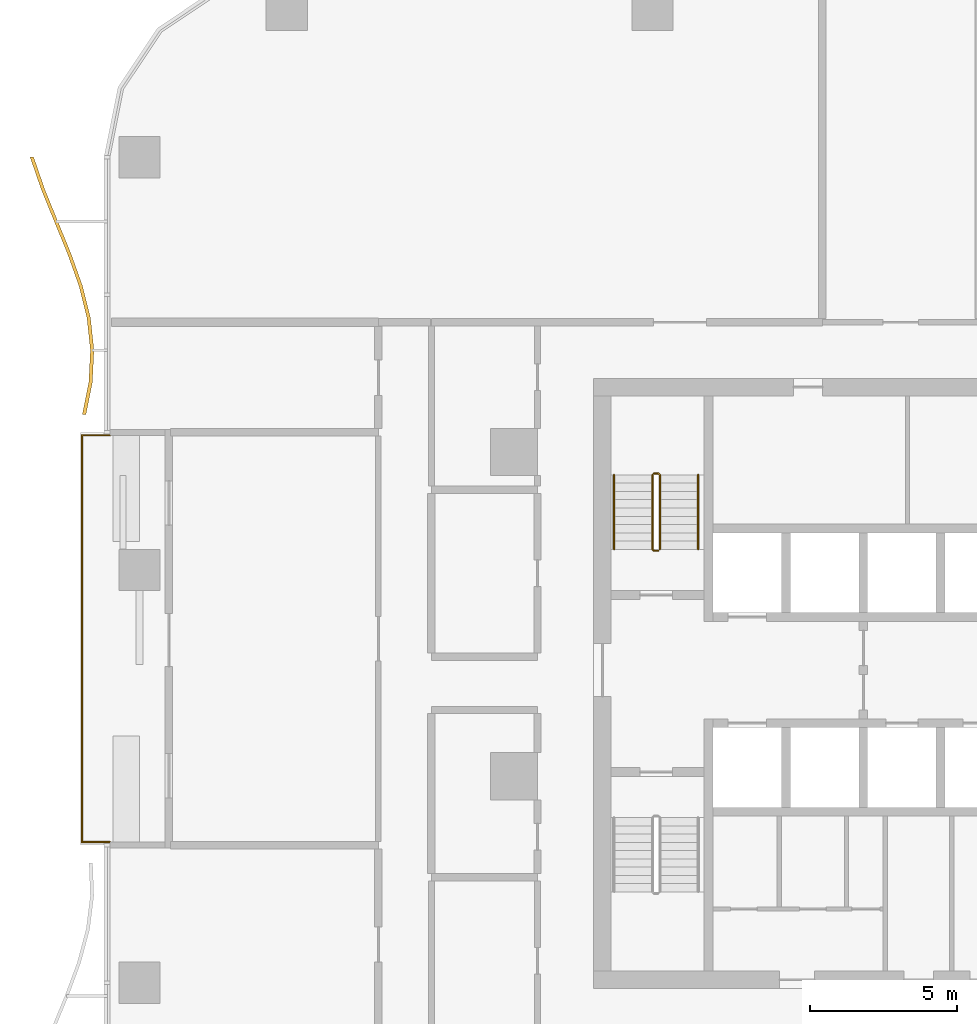
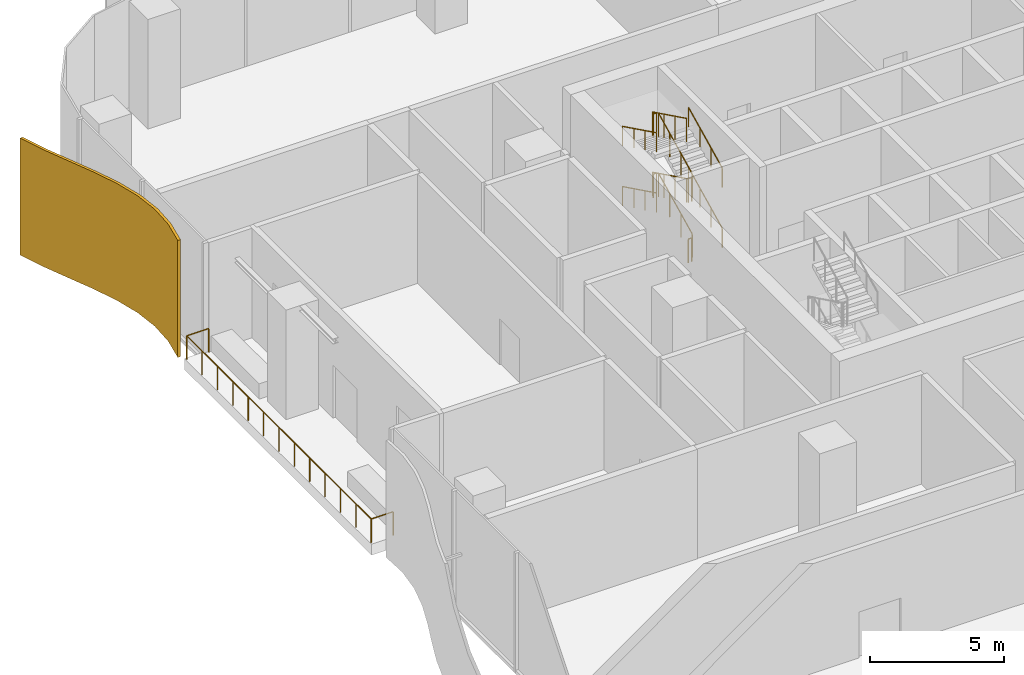
# One storey, part 18 of 21: 10 railings, 1 shading device.
"""IFC4 building model written with IfcOpenShell, lengths in metres."""

import ifcopenshell
import ifcopenshell.guid

model = None  # the IFC model being written
_history = None  # IfcOwnerHistory: only IFC2X3 demands one
_inside = {}  # id of a spatial element -> (the spatial element, [elements in it])
_under = {}  # id of a project, library or spatial element -> (it, [spatial elements below it])
_declared = {}  # id of a project -> (the project, [libraries it declares])
_typed = {}  # id of a type object -> (the type object, [elements of that type])
_made_of = {}  # id of a material, layer set ... -> (it, [elements and type objects made of it])


def new_model(schema):
    """Start an empty IFC model of exactly this schema.

    Asked for "IFC4X3", IfcOpenShell would pick the latest addendum, in which some entities
    have other attributes; the version numbers below select the first issue.
    IFC2X3 requires an IfcOwnerHistory on every rooted entity: one is made here for all.
    """
    global model, _history
    if schema == "IFC4X3":
        model = ifcopenshell.file(schema_version=(4, 3, 0, 0))
    else:
        model = ifcopenshell.file(schema=schema)
    _inside.clear()
    _under.clear()
    _declared.clear()
    _typed.clear()
    _made_of.clear()
    _history = None
    if model.schema == "IFC2X3":
        org = make("IfcOrganization", Name="unknown")
        user = make(
            "IfcPersonAndOrganization",
            ThePerson=make("IfcPerson", FamilyName="unknown"),
            TheOrganization=org,
        )
        app = make(
            "IfcApplication",
            ApplicationDeveloper=org,
            Version="unknown",
            ApplicationFullName="unknown",
            ApplicationIdentifier="unknown",
        )
        _history = make(
            "IfcOwnerHistory",
            OwningUser=user,
            OwningApplication=app,
            ChangeAction="ADDED",
            CreationDate=0,
        )
    return model


def make(cls, **values):
    """One entity of the class cls with the attributes given. An attribute that is None is left unset."""
    return model.create_entity(
        cls, **{name: value for name, value in values.items() if value is not None}
    )


def rooted(cls, **values):
    """An entity with a GlobalId (a new one), such as an element, a storey or a relation."""
    return make(cls, GlobalId=ifcopenshell.guid.new(), OwnerHistory=_history, **values)


def si_unit(unit_type, name, prefix=None):
    """IfcSIUnit, for example si_unit("LENGTHUNIT", "METRE", prefix="MILLI")."""
    return make("IfcSIUnit", UnitType=unit_type, Prefix=prefix, Name=name)


def assignment(units):
    """IfcUnitAssignment: the units of a project."""
    return None if units is None else make("IfcUnitAssignment", Units=units)


def point(xyz):
    """IfcCartesianPoint."""
    return None if xyz is None else make("IfcCartesianPoint", Coordinates=xyz)


def direction(xyz):
    """IfcDirection."""
    return None if xyz is None else make("IfcDirection", DirectionRatios=xyz)


def frame(location, z_axis=None, x_axis=None):
    """IfcAxis2Placement3D, a coordinate frame: its origin and axes. An axis left out is left unset."""
    return make(
        "IfcAxis2Placement3D",
        Location=point(location),
        Axis=direction(z_axis),
        RefDirection=direction(x_axis),
    )


def frame_2d(location, x_axis=None):
    """IfcAxis2Placement2D, a coordinate frame in the plane: its origin and x axis."""
    return make(
        "IfcAxis2Placement2D", Location=point(location), RefDirection=direction(x_axis)
    )


def origin():
    """The frame at (0, 0, 0) with its axes left unset."""
    return frame((0.0, 0.0, 0.0))


def origin_2d():
    """The frame at (0, 0) in the plane with its x axis left unset."""
    return frame_2d((0.0, 0.0))


def place(relative_to, where):
    """IfcLocalPlacement: puts the frame where relative to a parent placement (None: the world)."""
    return make(
        "IfcLocalPlacement", PlacementRelTo=relative_to, RelativePlacement=where
    )


def context(
    kind, dimensions, precision=None, world=None, true_north=None, identifier=None
):
    """IfcGeometricRepresentationContext, for example the 3D "Model" context."""
    return make(
        "IfcGeometricRepresentationContext",
        ContextIdentifier=identifier,
        ContextType=kind,
        CoordinateSpaceDimension=dimensions,
        Precision=precision,
        WorldCoordinateSystem=world,
        TrueNorth=true_north,
    )


def subcontext(parent, identifier, kind, view, scale=None):
    """IfcGeometricRepresentationSubContext, for example "Body" below "Model"."""
    return make(
        "IfcGeometricRepresentationSubContext",
        ContextIdentifier=identifier,
        ContextType=kind,
        ParentContext=parent,
        TargetScale=scale,
        TargetView=view,
    )


def project(units=None, contexts=None):
    """IfcProject with its units and contexts."""
    return rooted(
        "IfcProject",
        Name="project",
        RepresentationContexts=contexts,
        UnitsInContext=assignment(units),
    )


def spatial(cls, under=None, at=None, **own):
    """A site, building, storey or space (cls), placed at a placement, below another one or the project."""
    s = rooted(cls, ObjectPlacement=at, **own)
    if under is not None:
        _under.setdefault(under.id(), (under, []))[1].append(s)
    return s


def polyline(points):
    """IfcPolyline through the points."""
    return make("IfcPolyline", Points=[point(p) for p in points])


def profile(cls, at=None, kind="AREA", **sizes):
    """A parametric profile (cls). Its sizes go by their IFC names, for example OverallWidth=200.0."""
    return make(cls, ProfileType=kind, Position=at, **sizes)


def circle(**sizes):
    """IfcCircleProfileDef."""
    return profile("IfcCircleProfileDef", **sizes)


def outline(outer, holes=None, kind="AREA"):
    """IfcArbitraryClosedProfileDef: a profile drawn as a closed curve; with holes, ...WithVoids."""
    if holes is None:
        return make("IfcArbitraryClosedProfileDef", ProfileType=kind, OuterCurve=outer)
    return make(
        "IfcArbitraryProfileDefWithVoids",
        ProfileType=kind,
        OuterCurve=outer,
        InnerCurves=holes,
    )


def extrude(swept, where, along, depth):
    """IfcExtrudedAreaSolid: the profile swept, set in the frame where, extruded along a direction by depth."""
    return make(
        "IfcExtrudedAreaSolid",
        SweptArea=swept,
        Position=where,
        ExtrudedDirection=direction(along),
        Depth=depth,
    )


def shape(context_of_items, identifier, shape_type, items):
    """IfcShapeRepresentation: the items that make up one representation, for example the "Body"."""
    return make(
        "IfcShapeRepresentation",
        ContextOfItems=context_of_items,
        RepresentationIdentifier=identifier,
        RepresentationType=shape_type,
        Items=items,
    )


def material(Name=None, Category=None):
    """IfcMaterial."""
    return make("IfcMaterial", Name=Name, Category=Category)


def layer(
    of_material, thickness, ventilated=None, Name=None, Category=None, Priority=None
):
    """IfcMaterialLayer: one layer of a wall or slab, of a material (None: an air gap)."""
    return make(
        "IfcMaterialLayer",
        Material=of_material,
        LayerThickness=thickness,
        IsVentilated=ventilated,
        Name=Name,
        Category=Category,
        Priority=Priority,
    )


def layer_set(layers, Name=None):
    """IfcMaterialLayerSet."""
    return make("IfcMaterialLayerSet", MaterialLayers=layers, LayerSetName=Name)


def made_of(thing, what):
    """Note that an element or type object is made of a material, layer set ...; save() writes the relation."""
    if what is not None:
        _made_of.setdefault(what.id(), (what, []))[1].append(thing)
    return thing


def type_object(cls, material=None, **own):
    """A type object (cls), such as IfcWallType, which elements share."""
    return made_of(rooted(cls, **own), material)


def element(
    cls,
    number,
    at=None,
    inside=None,
    cuts=None,
    type_object=None,
    material=None,
    context=None,
    identifier="Body",
    shape_type=None,
    held_by="IfcProductDefinitionShape",
    body=None,
    shapes=None,
    **own,
):
    """One element of the class cls, such as IfcWall. Its Tag is "e" and its number.

    at: its placement. inside: the storey or other place that contains it. cuts: it is an
    opening in that element (IfcRelVoidsElement). A single representation is given by context,
    identifier, shape_type and body (its items); several are given by shapes. held_by: the class
    of the entity that holds the representations. save() writes the other relations.
    """
    e = rooted(cls, Tag="e%d" % number, ObjectPlacement=at, **own)
    if body is not None:
        shapes = [shape(context, identifier, shape_type, body)]
    if shapes is not None:
        e.Representation = make(held_by, Representations=shapes)
    if inside is not None:
        _inside.setdefault(inside.id(), (inside, []))[1].append(e)
    if cuts is not None:
        rooted(
            "IfcRelVoidsElement", RelatingBuildingElement=cuts, RelatedOpeningElement=e
        )
    if type_object is not None:
        _typed.setdefault(type_object.id(), (type_object, []))[1].append(e)
    return made_of(e, material)


def aggregate(whole, parts):
    """IfcRelAggregates: a whole, such as a stair, and the parts it consists of."""
    return rooted("IfcRelAggregates", RelatingObject=whole, RelatedObjects=parts)


def save(model, path):
    """Write the relations noted so far, then the file.

    IfcRelAggregates (storeys below a building ...), IfcRelContainedInSpatialStructure (elements
    in a storey), IfcRelDefinesByType, IfcRelAssociatesMaterial and IfcRelDeclares: one each for
    every whole, place, type object, material and project.
    """
    for whole, parts in _under.values():
        aggregate(whole, parts)
    for where, things in _inside.values():
        rooted(
            "IfcRelContainedInSpatialStructure",
            RelatedElements=things,
            RelatingStructure=where,
        )
    for kind, things in _typed.values():
        rooted("IfcRelDefinesByType", RelatedObjects=things, RelatingType=kind)
    for what, things in _made_of.values():
        rooted("IfcRelAssociatesMaterial", RelatedObjects=things, RelatingMaterial=what)
    for by, libraries in _declared.values():
        rooted("IfcRelDeclares", RelatingContext=by, RelatedDefinitions=libraries)
    model.write(path)


model = new_model("IFC4")

# Units and contexts
model_context = context("Model", 3, precision=1e-05, world=origin(), true_north=direction((0.0, 1.0)))
body_context = subcontext(model_context, "Body", "Model", "MODEL_VIEW")
ifc_project = project(units=[si_unit("LENGTHUNIT", "METRE"), si_unit("AREAUNIT", "SQUARE_METRE"), si_unit("VOLUMEUNIT", "CUBIC_METRE"), si_unit("PLANEANGLEUNIT", "RADIAN"), si_unit("MASSUNIT", "GRAM", prefix="KILO")], contexts=[model_context])

# Site, building, storey
site_placement = place(None, origin())
site = spatial("IfcSite", under=ifc_project, at=site_placement, CompositionType="ELEMENT")
building_placement = place(site_placement, origin())
building = spatial("IfcBuilding", under=site, at=building_placement, Name="Mopane Tessera Tower", CompositionType="ELEMENT")
storey_placement = place(building_placement, frame((0.0, 0.0, 20.0)))
storey = spatial("IfcBuildingStorey", under=building, at=storey_placement, Name="L03", CompositionType="ELEMENT", Elevation=20.0)

# Railings
ifc_material_1 = material(Name="Powder-coated steel balustrade", Category="steel")
railing_type_1 = type_object("IfcRailingType", Name="Escape stair guard 1100 mm", PredefinedType="GUARDRAIL", material=ifc_material_1)
railing_1_placement = place(storey_placement, frame((-12.14990234375, 7.699951171875, 0.137451171875)))
element("IfcRailing", 1, at=railing_1_placement, inside=storey, type_object=railing_type_1, Name="L03 ST2 stair guard 1", PredefinedType="GUARDRAIL", context=body_context, shape_type="SweptSolid", body=[
    extrude(circle(Radius=0.02392578125, at=origin_2d()), frame((0.0, 0.0, 1.076171875), z_axis=(0.0, 0.897604431175, 0.440801866075), x_axis=(-1.0, 0.0, 0.0)), (0.0, 0.0, 1.0), 2.807373046875),
    extrude(circle(Radius=0.02392578125, at=origin_2d()), frame((0.0, 2.52001953125, 2.3134765625), z_axis=(-0.707106781187, 0.707106781187, 0.0), x_axis=(-0.707106781187, -0.707106781187, 0.0)), (0.0, 0.0, 1.0), 0.07080078125),
    extrude(circle(Radius=0.02392578125, at=origin_2d()), frame((-0.050048828125, 2.570068359375, 2.3134765625), z_axis=(-1.0, 0.0, 0.0), x_axis=(0.0, -1.0, 0.0)), (0.0, 0.0, 1.0), 0.150146484375),
    extrude(circle(Radius=0.02099609375, at=origin_2d()), origin(), (0.0, 0.0, 1.0), 1.052001953125),
    extrude(circle(Radius=0.02099609375, at=origin_2d()), frame((0.0, 0.840087890625, 0.41259765625)), (0.0, 0.0, 1.0), 1.052001953125),
    extrude(circle(Radius=0.02099609375, at=origin_2d()), frame((0.0, 1.679931640625, 0.824951171875)), (0.0, 0.0, 1.0), 1.052001953125),
    extrude(circle(Radius=0.02099609375, at=origin_2d()), frame((0.0, 2.52001953125, 1.237548828125)), (0.0, 0.0, 1.0), 1.052001953125),
    extrude(circle(Radius=0.02099609375, at=origin_2d()), frame((-0.050048828125, 2.570068359375, 1.237548828125)), (0.0, 0.0, 1.0), 1.052001953125),
    extrude(circle(Radius=0.02099609375, at=origin_2d()), frame((-0.2001953125, 2.570068359375, 1.237548828125)), (0.0, 0.0, 1.0), 1.052001953125),
])
railing_2_placement = place(storey_placement, frame((-12.39990234375, 10.219970703125, 1.512451171875)))
element("IfcRailing", 2, at=railing_2_placement, inside=storey, type_object=railing_type_1, Name="L03 ST2 stair guard 2", PredefinedType="GUARDRAIL", context=body_context, shape_type="SweptSolid", body=[
    extrude(circle(Radius=0.02392578125, at=origin_2d()), frame((0.0, 0.0, 1.076171875), z_axis=(0.0, -0.897604431175, 0.440801866075), x_axis=(1.0, 0.0, 0.0)), (0.0, 0.0, 1.0), 2.807373046875),
    extrude(circle(Radius=0.02392578125, at=origin_2d()), frame((0.0, -2.52001953125, 2.3134765625), z_axis=(0.705375805398, -0.708833529934, 0.0), x_axis=(0.708833529934, 0.705375805398, 0.0)), (0.0, 0.0, 1.0), 0.070556640625),
    extrude(circle(Radius=0.02392578125, at=origin_2d()), frame((0.0498046875, -2.570068359375, 2.3134765625), z_axis=(1.0, 0.0, 0.0), x_axis=(0.0, 1.0, 0.0)), (0.0, 0.0, 1.0), 0.150146484375),
    extrude(circle(Radius=0.02099609375, at=origin_2d()), origin(), (0.0, 0.0, 1.0), 1.052001953125),
    extrude(circle(Radius=0.02099609375, at=origin_2d()), frame((0.0, -0.840087890625, 0.41259765625)), (0.0, 0.0, 1.0), 1.052001953125),
    extrude(circle(Radius=0.02099609375, at=origin_2d()), frame((0.0, -1.679931640625, 0.824951171875)), (0.0, 0.0, 1.0), 1.052001953125),
    extrude(circle(Radius=0.02099609375, at=origin_2d()), frame((0.0, -2.52001953125, 1.237548828125)), (0.0, 0.0, 1.0), 1.052001953125),
    extrude(circle(Radius=0.02099609375, at=origin_2d()), frame((0.0498046875, -2.570068359375, 1.237548828125)), (0.0, 0.0, 1.0), 1.052001953125),
    extrude(circle(Radius=0.02099609375, at=origin_2d()), frame((0.199951171875, -2.570068359375, 1.237548828125)), (0.0, 0.0, 1.0), 1.052001953125),
])
railing_3_placement = place(storey_placement, frame((-12.14990234375, 7.699951171875, 2.887451171875)))
element("IfcRailing", 3, at=railing_3_placement, inside=storey, type_object=railing_type_1, Name="L03 ST2 stair guard 3", PredefinedType="GUARDRAIL", context=body_context, shape_type="SweptSolid", body=[
    extrude(circle(Radius=0.02392578125, at=origin_2d()), frame((0.0, 0.0, 1.076171875), z_axis=(0.0, 0.897604431175, 0.440801866075), x_axis=(-1.0, 0.0, 0.0)), (0.0, 0.0, 1.0), 2.807373046875),
    extrude(circle(Radius=0.02392578125, at=origin_2d()), frame((0.0, 2.52001953125, 2.3134765625), z_axis=(-0.707106781187, 0.707106781187, 0.0), x_axis=(-0.707106781187, -0.707106781187, 0.0)), (0.0, 0.0, 1.0), 0.07080078125),
    extrude(circle(Radius=0.02392578125, at=origin_2d()), frame((-0.050048828125, 2.570068359375, 2.3134765625), z_axis=(-1.0, 0.0, 0.0), x_axis=(0.0, -1.0, 0.0)), (0.0, 0.0, 1.0), 0.150146484375),
    extrude(circle(Radius=0.02099609375, at=origin_2d()), origin(), (0.0, 0.0, 1.0), 1.052001953125),
    extrude(circle(Radius=0.02099609375, at=origin_2d()), frame((0.0, 0.840087890625, 0.41259765625)), (0.0, 0.0, 1.0), 1.052001953125),
    extrude(circle(Radius=0.02099609375, at=origin_2d()), frame((0.0, 1.679931640625, 0.824951171875)), (0.0, 0.0, 1.0), 1.052001953125),
    extrude(circle(Radius=0.02099609375, at=origin_2d()), frame((0.0, 2.52001953125, 1.237548828125)), (0.0, 0.0, 1.0), 1.052001953125),
    extrude(circle(Radius=0.02099609375, at=origin_2d()), frame((-0.050048828125, 2.570068359375, 1.237548828125)), (0.0, 0.0, 1.0), 1.052001953125),
    extrude(circle(Radius=0.02099609375, at=origin_2d()), frame((-0.2001953125, 2.570068359375, 1.237548828125)), (0.0, 0.0, 1.0), 1.052001953125),
])
railing_4_placement = place(storey_placement, frame((-12.39990234375, 10.219970703125, 4.262451171875)))
element("IfcRailing", 4, at=railing_4_placement, inside=storey, type_object=railing_type_1, Name="L03 ST2 stair guard 4", PredefinedType="GUARDRAIL", context=body_context, shape_type="SweptSolid", body=[
    extrude(circle(Radius=0.02392578125, at=origin_2d()), frame((0.0, 0.0, 1.076171875), z_axis=(0.0, -0.897604431175, 0.440801866075), x_axis=(1.0, 0.0, 0.0)), (0.0, 0.0, 1.0), 2.807373046875),
    extrude(circle(Radius=0.02099609375, at=origin_2d()), origin(), (0.0, 0.0, 1.0), 1.052001953125),
    extrude(circle(Radius=0.02099609375, at=origin_2d()), frame((0.0, -0.840087890625, 0.41259765625)), (0.0, 0.0, 1.0), 1.052001953125),
    extrude(circle(Radius=0.02099609375, at=origin_2d()), frame((0.0, -1.679931640625, 0.824951171875)), (0.0, 0.0, 1.0), 1.052001953125),
    extrude(circle(Radius=0.02099609375, at=origin_2d()), frame((0.0, -2.52001953125, 1.237548828125)), (0.0, 0.0, 1.0), 1.052001953125),
])
railing_5_placement = place(storey_placement, frame((-12.199951171875, 7.64990234375, 0.0)))
element("IfcRailing", 5, at=railing_5_placement, inside=storey, type_object=railing_type_1, Name="L03 ST2 stair guard 5", PredefinedType="GUARDRAIL", context=body_context, shape_type="SweptSolid", body=[
    extrude(circle(Radius=0.02392578125, at=origin_2d()), frame((0.0, 0.0, 1.076171875), z_axis=(-1.0, 0.0, 0.0), x_axis=(0.0, -1.0, 0.0)), (0.0, 0.0, 1.0), 0.150146484375),
    extrude(circle(Radius=0.02099609375, at=origin_2d()), origin(), (0.0, 0.0, 1.0), 1.052001953125),
    extrude(circle(Radius=0.02099609375, at=origin_2d()), frame((-0.150146484375, 0.0, 0.0)), (0.0, 0.0, 1.0), 1.052001953125),
])
ifc_material_2 = material(Name="Powder-coated steel balustrade", Category="steel")
railing_type_2 = type_object("IfcRailingType", Name="Escape stair handrail 900 mm", PredefinedType="HANDRAIL", material=ifc_material_2)
railing_6_placement = place(storey_placement, frame((-10.85009765625, 7.699951171875, 0.137451171875)))
element("IfcRailing", 6, at=railing_6_placement, inside=storey, type_object=railing_type_2, Name="L03 ST2 stair handrail 1", PredefinedType="HANDRAIL", context=body_context, shape_type="SweptSolid", body=[
    extrude(circle(Radius=0.02392578125, at=origin_2d()), frame((0.0, 0.0, 0.8759765625), z_axis=(0.0, 0.897604431175, 0.440801866075), x_axis=(-1.0, 0.0, 0.0)), (0.0, 0.0, 1.0), 2.807373046875),
    extrude(circle(Radius=0.02099609375, at=origin_2d()), origin(), (0.0, 0.0, 1.0), 0.851806640625),
    extrude(circle(Radius=0.02099609375, at=origin_2d()), frame((0.0, 0.840087890625, 0.41259765625)), (0.0, 0.0, 1.0), 0.851806640625),
    extrude(circle(Radius=0.02099609375, at=origin_2d()), frame((0.0, 1.679931640625, 0.824951171875)), (0.0, 0.0, 1.0), 0.851806640625),
    extrude(circle(Radius=0.02099609375, at=origin_2d()), frame((0.0, 2.52001953125, 1.237548828125)), (0.0, 0.0, 1.0), 0.851806640625),
])
railing_7_placement = place(storey_placement, frame((-13.699951171875, 10.219970703125, 1.512451171875)))
element("IfcRailing", 7, at=railing_7_placement, inside=storey, type_object=railing_type_2, Name="L03 ST2 stair handrail 2", PredefinedType="HANDRAIL", context=body_context, shape_type="SweptSolid", body=[
    extrude(circle(Radius=0.02392578125, at=origin_2d()), frame((0.0, 0.0, 0.8759765625), z_axis=(0.0, -0.897604431175, 0.440801866075), x_axis=(1.0, 0.0, 0.0)), (0.0, 0.0, 1.0), 2.807373046875),
    extrude(circle(Radius=0.02099609375, at=origin_2d()), origin(), (0.0, 0.0, 1.0), 0.851806640625),
    extrude(circle(Radius=0.02099609375, at=origin_2d()), frame((0.0, -0.840087890625, 0.41259765625)), (0.0, 0.0, 1.0), 0.851806640625),
    extrude(circle(Radius=0.02099609375, at=origin_2d()), frame((0.0, -1.679931640625, 0.824951171875)), (0.0, 0.0, 1.0), 0.851806640625),
    extrude(circle(Radius=0.02099609375, at=origin_2d()), frame((0.0, -2.52001953125, 1.237548828125)), (0.0, 0.0, 1.0), 0.851806640625),
])
railing_8_placement = place(storey_placement, frame((-10.85009765625, 7.699951171875, 2.887451171875)))
element("IfcRailing", 8, at=railing_8_placement, inside=storey, type_object=railing_type_2, Name="L03 ST2 stair handrail 3", PredefinedType="HANDRAIL", context=body_context, shape_type="SweptSolid", body=[
    extrude(circle(Radius=0.02392578125, at=origin_2d()), frame((0.0, 0.0, 0.8759765625), z_axis=(0.0, 0.897604431175, 0.440801866075), x_axis=(-1.0, 0.0, 0.0)), (0.0, 0.0, 1.0), 2.807373046875),
    extrude(circle(Radius=0.02099609375, at=origin_2d()), origin(), (0.0, 0.0, 1.0), 0.851806640625),
    extrude(circle(Radius=0.02099609375, at=origin_2d()), frame((0.0, 0.840087890625, 0.41259765625)), (0.0, 0.0, 1.0), 0.851806640625),
    extrude(circle(Radius=0.02099609375, at=origin_2d()), frame((0.0, 1.679931640625, 0.824951171875)), (0.0, 0.0, 1.0), 0.851806640625),
    extrude(circle(Radius=0.02099609375, at=origin_2d()), frame((0.0, 2.52001953125, 1.237548828125)), (0.0, 0.0, 1.0), 0.851806640625),
])
railing_9_placement = place(storey_placement, frame((-13.699951171875, 10.219970703125, 4.262451171875)))
element("IfcRailing", 9, at=railing_9_placement, inside=storey, type_object=railing_type_2, Name="L03 ST2 stair handrail 4", PredefinedType="HANDRAIL", context=body_context, shape_type="SweptSolid", body=[
    extrude(circle(Radius=0.02392578125, at=origin_2d()), frame((0.0, 0.0, 0.8759765625), z_axis=(0.0, -0.897604431175, 0.440801866075), x_axis=(1.0, 0.0, 0.0)), (0.0, 0.0, 1.0), 2.807373046875),
    extrude(circle(Radius=0.02099609375, at=origin_2d()), origin(), (0.0, 0.0, 1.0), 0.851806640625),
    extrude(circle(Radius=0.02099609375, at=origin_2d()), frame((0.0, -0.840087890625, 0.41259765625)), (0.0, 0.0, 1.0), 0.851806640625),
    extrude(circle(Radius=0.02099609375, at=origin_2d()), frame((0.0, -1.679931640625, 0.824951171875)), (0.0, 0.0, 1.0), 0.851806640625),
    extrude(circle(Radius=0.02099609375, at=origin_2d()), frame((0.0, -2.52001953125, 1.237548828125)), (0.0, 0.0, 1.0), 0.851806640625),
])
ifc_material_3 = material(Name="Stainless steel S316", Category="steel")
railing_type_3 = type_object("IfcRailingType", Name="Terrace guard 1100", PredefinedType="GUARDRAIL", material=ifc_material_3)
railing_10_placement = place(storey_placement, frame((-30.800048828125, 11.566650390625, 0.0)))
element("IfcRailing", 10, at=railing_10_placement, inside=storey, type_object=railing_type_3, Name="e:nw:L03:N3:guard", PredefinedType="GUARDRAIL", context=body_context, shape_type="SweptSolid", body=[
    extrude(circle(Radius=0.02392578125, at=origin_2d()), frame((0.0, 0.0, 1.076171875), z_axis=(-1.0, 0.0, 0.0), x_axis=(0.0, -1.0, 0.0)), (0.0, 0.0, 1.0), 0.949951171875),
    extrude(circle(Radius=0.02392578125, at=origin_2d()), frame((-0.949951171875, 0.0, 1.076171875), z_axis=(0.0, -1.0, 0.0), x_axis=(1.0, 0.0, 0.0)), (0.0, 0.0, 1.0), 13.800048828125),
    extrude(circle(Radius=0.02392578125, at=origin_2d()), frame((-0.949951171875, -13.800048828125, 1.076171875), z_axis=(1.0, 0.0, 0.0), x_axis=(0.0, 1.0, 0.0)), (0.0, 0.0, 1.0), 0.949951171875),
    extrude(circle(Radius=0.02099609375, at=origin_2d()), origin(), (0.0, 0.0, 1.0), 1.052001953125),
    extrude(circle(Radius=0.02099609375, at=origin_2d()), frame((-0.949951171875, 0.0, 0.0)), (0.0, 0.0, 1.0), 1.052001953125),
    extrude(circle(Radius=0.02099609375, at=origin_2d()), frame((-0.949951171875, -1.14990234375, 0.0)), (0.0, 0.0, 1.0), 1.052001953125),
    extrude(circle(Radius=0.02099609375, at=origin_2d()), frame((-0.949951171875, -2.300048828125, 0.0)), (0.0, 0.0, 1.0), 1.052001953125),
    extrude(circle(Radius=0.02099609375, at=origin_2d()), frame((-0.949951171875, -3.449951171875, 0.0)), (0.0, 0.0, 1.0), 1.052001953125),
    extrude(circle(Radius=0.02099609375, at=origin_2d()), frame((-0.949951171875, -4.60009765625, 0.0)), (0.0, 0.0, 1.0), 1.052001953125),
    extrude(circle(Radius=0.02099609375, at=origin_2d()), frame((-0.949951171875, -5.75, 0.0)), (0.0, 0.0, 1.0), 1.052001953125),
    extrude(circle(Radius=0.02099609375, at=origin_2d()), frame((-0.949951171875, -6.89990234375, 0.0)), (0.0, 0.0, 1.0), 1.052001953125),
    extrude(circle(Radius=0.02099609375, at=origin_2d()), frame((-0.949951171875, -8.050048828125, 0.0)), (0.0, 0.0, 1.0), 1.052001953125),
    extrude(circle(Radius=0.02099609375, at=origin_2d()), frame((-0.949951171875, -9.199951171875, 0.0)), (0.0, 0.0, 1.0), 1.052001953125),
    extrude(circle(Radius=0.02099609375, at=origin_2d()), frame((-0.949951171875, -10.35009765625, 0.0)), (0.0, 0.0, 1.0), 1.052001953125),
    extrude(circle(Radius=0.02099609375, at=origin_2d()), frame((-0.949951171875, -11.5, 0.0)), (0.0, 0.0, 1.0), 1.052001953125),
    extrude(circle(Radius=0.02099609375, at=origin_2d()), frame((-0.949951171875, -12.650146484375, 0.0)), (0.0, 0.0, 1.0), 1.052001953125),
    extrude(circle(Radius=0.02099609375, at=origin_2d()), frame((-0.949951171875, -13.800048828125, 0.0)), (0.0, 0.0, 1.0), 1.052001953125),
    extrude(circle(Radius=0.02099609375, at=origin_2d()), frame((0.0, -13.800048828125, 0.0)), (0.0, 0.0, 1.0), 1.052001953125),
])

# Shading device
ifc_material_4 = material(Name="Anodised aluminium louvre blades", Category="aluminium")
ifc_layer = layer(ifc_material_4, 0.1201171875)
ifc_layer_set = layer_set([ifc_layer], Name="Anodised aluminium louvre blades")
shading_device_type = type_object("IfcShadingDeviceType", Name="Wave louvre screen", PredefinedType="JALOUSIE", material=ifc_layer_set)
shading_device_placement = place(storey_placement, frame((0.0, 0.0, -0.340087890625)))
element("IfcShadingDevice", 11, at=shading_device_placement, inside=storey, type_object=shading_device_type, Name="e:lv:L03:W:0", PredefinedType="JALOUSIE", context=body_context, shape_type="SweptSolid", body=[
    extrude(outline(polyline([(-33.388427734375, 21.0), (-33.01220703125, 19.908447265625), (-32.56787109375, 18.816650390625), (-32.119873046875, 17.72509765625), (-31.73193359375, 16.63330078125), (-31.4599609375, 15.541748046875), (-31.343017578125, 14.449951171875), (-31.397705078125, 13.3583984375), (-31.6162109375, 12.2666015625), (-31.736328125, 12.2666015625), (-31.517578125, 13.3583984375), (-31.462890625, 14.449951171875), (-31.579833984375, 15.541748046875), (-31.851806640625, 16.63330078125), (-32.23974609375, 17.72509765625), (-32.68798828125, 18.816650390625), (-33.132080078125, 19.908447265625), (-33.508544921875, 21.0), (-33.388427734375, 21.0)])), origin(), (0.0, 0.0, 1.0), 5.340087890625),
])

save(model, "model.ifc")
